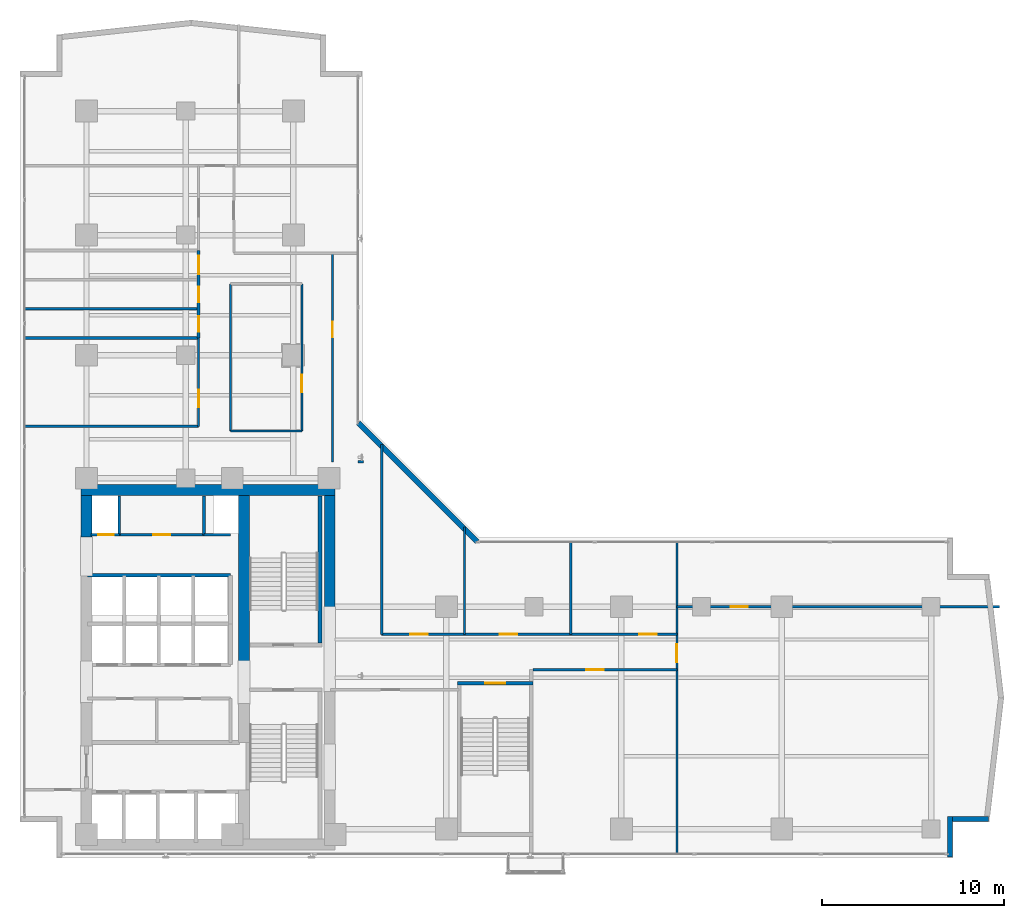
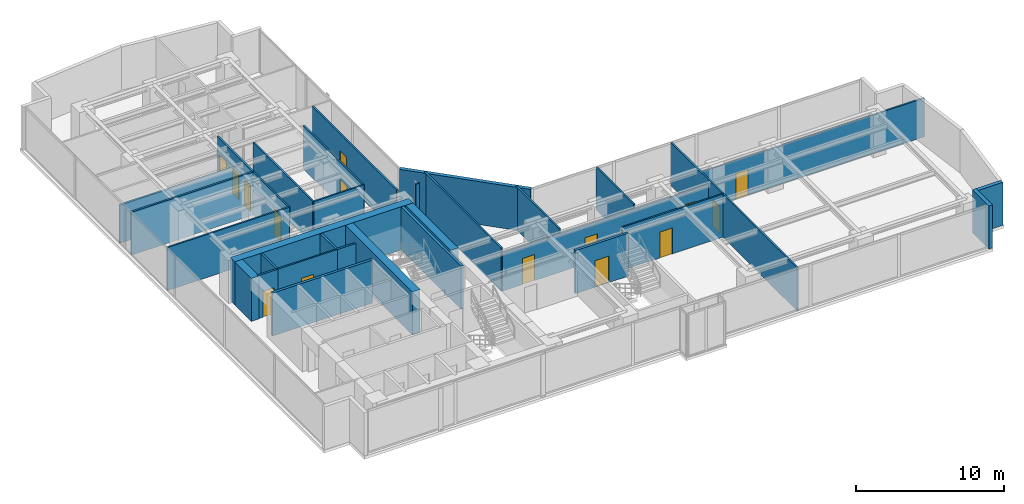
# One storey, part 20 of 24: 32 walls, 15 doors, 15 openings.
"""IFC4 building model written with IfcOpenShell, lengths in metres."""

from ifc_helpers import new_model, si_unit, direction, frame, frame_2d, origin, place, context, subcontext, project, spatial, rectangle, extrude, material, layer, layer_set, type_object, element, fill, save


model = new_model("IFC4")

# Units and contexts
model_context = context("Model", 3, precision=1e-05, world=origin(), true_north=direction((0.0, 1.0)))
body_context = subcontext(model_context, "Body", "Model", "MODEL_VIEW")
ifc_project = project(units=[si_unit("LENGTHUNIT", "METRE"), si_unit("AREAUNIT", "SQUARE_METRE"), si_unit("VOLUMEUNIT", "CUBIC_METRE"), si_unit("PLANEANGLEUNIT", "RADIAN"), si_unit("MASSUNIT", "GRAM", prefix="KILO")], contexts=[model_context])

# Site, building, storey
site_placement = place(None, origin())
site = spatial("IfcSite", under=ifc_project, at=site_placement, CompositionType="ELEMENT")
building_placement = place(site_placement, origin())
building = spatial("IfcBuilding", under=site, at=building_placement, Name="Kolvaren Waterfront Exchange", CompositionType="ELEMENT")
storey_placement = place(building_placement, frame((0.0, 0.0, 157.60009765625)))
storey = spatial("IfcBuildingStorey", under=building, at=storey_placement, Name="L40", CompositionType="ELEMENT", Elevation=157.60009765625)

# Walls
ifc_material_1 = material(Name="Precast concrete C40/50", Category="concrete")
ifc_layer_1 = layer(ifc_material_1, 0.280029296875, Name="Precast concrete C40/50")
ifc_layer_set_1 = layer_set([ifc_layer_1], Name="Precast concrete C40/50")
wall_type_1 = type_object("IfcWallType", Name="ARC-EXT-TERR-280", PredefinedType="SOLIDWALL", material=ifc_layer_set_1)
wall_1_placement = place(storey_placement, frame((54.840087890625, 3.659912109375, 0.0), z_axis=(0.0, 0.0, 1.0), x_axis=(0.0, 1.0, 0.0)))
element("IfcWall", 1, at=wall_1_placement, inside=storey, type_object=wall_type_1, Name="L40 notched corner spandrel pier SE-A", PredefinedType="SOLIDWALL", context=body_context, shape_type="SweptSolid", body=[
    extrude(rectangle(XDim=2.239990234375, YDim=0.280029296875, at=frame_2d((1.1201171875, 0.0))), origin(), (0.0, 0.0, 1.0), 3.559814453125),
])
wall_2_placement = place(storey_placement, frame((54.97998046875, 5.760009765625, 0.0), z_axis=(0.0, 0.0, 1.0), x_axis=(1.0, 0.0, 0.0)))
element("IfcWall", 2, at=wall_2_placement, inside=storey, type_object=wall_type_1, Name="L40 notched corner spandrel pier SE-B", PredefinedType="SOLIDWALL", context=body_context, shape_type="SweptSolid", body=[
    extrude(rectangle(XDim=1.9599609375, YDim=0.280029296875, at=frame_2d((0.97998046875, 0.0))), origin(), (0.0, 0.0, 1.0), 3.559814453125),
])
wall_3_placement = place(storey_placement, frame((28.885009765625, 20.97509765625, 0.0), z_axis=(0.0, 0.0, 1.0), x_axis=(-0.707106781187, 0.707106781187, 0.0)))
element("IfcWall", 3, at=wall_3_placement, inside=storey, type_object=wall_type_1, Name="L40 notched corner spandrel pier ELBOW", PredefinedType="SOLIDWALL", context=body_context, shape_type="SweptSolid", body=[
    extrude(rectangle(XDim=9.20654296875, YDim=0.280029296875, at=frame_2d((4.603271484375, 0.0))), origin(), (0.0, 0.0, 1.0), 3.559814453125),
])

# Wall, opening, door
ifc_material_2 = material(Name="Acoustic gypsum steel stud", Category="steel")
ifc_layer_2 = layer(ifc_material_2, 0.125, Name="Acoustic gypsum steel stud")
ifc_layer_set_2 = layer_set([ifc_layer_2], Name="Acoustic gypsum steel stud")
wall_type_2 = type_object("IfcWallType", Name="ARC-PART-125", PredefinedType="PARTITIONING", material=ifc_layer_set_2)
wall_4_placement = place(storey_placement, frame((9.25, 21.35009765625, 0.0), z_axis=(0.0, 0.0, 1.0), x_axis=(1.0, 0.0, 0.0)))
wall_4 = element("IfcWall", 4, at=wall_4_placement, inside=storey, type_object=wall_type_2, Name="L40 interior wall PW-L40-SVC-EX-S", PredefinedType="PARTITIONING", context=body_context, shape_type="SweptSolid", body=[
    extrude(rectangle(XDim=4.64990234375, YDim=0.125, at=frame_2d((2.324951171875, 0.0))), origin(), (0.0, 0.0, 1.0), 3.559814453125),
])
opening_1_placement = place(wall_4_placement, frame((1.85009765625, 0.0, 0.0)))
opening_1 = element("IfcOpeningElement", 5, at=opening_1_placement, cuts=wall_4, Name="Opening D02", PredefinedType="OPENING", context=body_context, shape_type="SweptSolid", body=[
    extrude(rectangle(XDim=0.949951171875, YDim=2.14990234375, at=frame_2d((0.47509765625, 1.074951171875))), frame((0.0, 0.072509765625, 0.0), z_axis=(0.0, -1.0, 0.0), x_axis=(1.0, 0.0, 0.0)), (0.0, 0.0, 1.0), 0.14501953125),
])
ifc_material_3 = material(Name="Oak veneer acoustic timber", Category="wood")
door_type_1 = type_object("IfcDoorType", Name="ARC-DR-950", OperationType="NOTDEFINED", PredefinedType="DOOR", material=ifc_material_3)
door_1_placement = place(opening_1_placement, origin())
door_1 = element("IfcDoor", 6, at=door_1_placement, inside=storey, type_object=door_type_1, Name="L40 door DR-L40-SVC-DR-1 (D02)", OperationType="SINGLE_SWING_RIGHT", OverallHeight=2.14990234375, OverallWidth=0.949951171875, PredefinedType="DOOR", context=body_context, shape_type="SweptSolid", body=[
    extrude(rectangle(XDim=0.949951171875, YDim=2.14990234375, at=frame_2d((0.47509765625, 1.074951171875))), frame((0.0, 0.02490234375, 0.0), z_axis=(0.0, -1.0, 0.0), x_axis=(1.0, 0.0, 0.0)), (0.0, 0.0, 1.0), 0.050048828125),
])
fill(opening_1, door_1)

# Walls
wall_5_placement = place(storey_placement, frame((15.35009765625, 27.050048828125, 0.0), z_axis=(0.0, 0.0, 1.0), x_axis=(1.0, 0.0, 0.0)))
element("IfcWall", 7, at=wall_5_placement, inside=storey, type_object=wall_type_2, Name="L40 interior wall PW-L40-ISL-S", PredefinedType="PARTITIONING", context=body_context, shape_type="SweptSolid", body=[
    extrude(rectangle(XDim=3.919921875, YDim=0.125, at=frame_2d((1.9599609375, 0.0))), origin(), (0.0, 0.0, 1.0), 3.559814453125),
])
wall_6_placement = place(storey_placement, frame((15.35009765625, 27.050048828125, 0.0), z_axis=(0.0, 0.0, 1.0), x_axis=(0.0, 1.0, 0.0)))
element("IfcWall", 8, at=wall_6_placement, inside=storey, type_object=wall_type_2, Name="L40 interior wall PW-L40-ISL-W", PredefinedType="PARTITIONING", context=body_context, shape_type="SweptSolid", body=[
    extrude(rectangle(XDim=8.070068359375, YDim=0.125, at=frame_2d((4.03515625, 0.0))), origin(), (0.0, 0.0, 1.0), 3.559814453125),
])

# Wall, opening, door
wall_7_placement = place(storey_placement, frame((19.27001953125, 27.050048828125, 0.0), z_axis=(0.0, 0.0, 1.0), x_axis=(0.0, 1.0, 0.0)))
wall_7 = element("IfcWall", 9, at=wall_7_placement, inside=storey, type_object=wall_type_2, Name="L40 interior wall PW-L40-ISL-E", PredefinedType="PARTITIONING", context=body_context, shape_type="SweptSolid", body=[
    extrude(rectangle(XDim=8.070068359375, YDim=0.125, at=frame_2d((4.03515625, 0.0))), origin(), (0.0, 0.0, 1.0), 3.559814453125),
])
opening_2_placement = place(wall_7_placement, frame((2.126708984375, 0.0, 0.0)))
opening_2 = element("IfcOpeningElement", 10, at=opening_2_placement, cuts=wall_7, Name="Opening D02", PredefinedType="OPENING", context=body_context, shape_type="SweptSolid", body=[
    extrude(rectangle(XDim=0.949951171875, YDim=2.14990234375, at=frame_2d((0.47509765625, 1.074951171875))), frame((0.0, 0.072509765625, 0.0), z_axis=(0.0, -1.0, 0.0), x_axis=(1.0, 0.0, 0.0)), (0.0, 0.0, 1.0), 0.14501953125),
])
door_2_placement = place(opening_2_placement, origin())
door_2 = element("IfcDoor", 11, at=door_2_placement, inside=storey, type_object=door_type_1, Name="L40 door DR-L40-ISL-D (D02)", OperationType="SINGLE_SWING_LEFT", OverallHeight=2.14990234375, OverallWidth=0.949951171875, PredefinedType="DOOR", context=body_context, shape_type="SweptSolid", body=[
    extrude(rectangle(XDim=0.949951171875, YDim=2.14990234375, at=frame_2d((0.47509765625, 1.074951171875))), frame((0.0, 0.02490234375, 0.0), z_axis=(0.0, -1.0, 0.0), x_axis=(1.0, 0.0, 0.0)), (0.0, 0.0, 1.0), 0.050048828125),
])
fill(opening_2, door_2)

wall_8_placement = place(storey_placement, frame((13.60009765625, 27.300048828125, 0.0), z_axis=(0.0, 0.0, 1.0), x_axis=(0.0, 1.0, 0.0)))
wall_8 = element("IfcWall", 12, at=wall_8_placement, inside=storey, type_object=wall_type_2, Name="L40 interior wall PW-L40-PREWC-E", PredefinedType="PARTITIONING", context=body_context, shape_type="SweptSolid", body=[
    extrude(rectangle(XDim=4.849853515625, YDim=0.125, at=frame_2d((2.4248046875, 0.0))), origin(), (0.0, 0.0, 1.0), 3.559814453125),
])
opening_3_placement = place(wall_8_placement, frame((1.050048828125, 0.0, 0.0)))
opening_3 = element("IfcOpeningElement", 13, at=opening_3_placement, cuts=wall_8, Name="Opening D02", PredefinedType="OPENING", context=body_context, shape_type="SweptSolid", body=[
    extrude(rectangle(XDim=0.949951171875, YDim=2.14990234375, at=frame_2d((0.47509765625, 1.074951171875))), frame((0.0, 0.072509765625, 0.0), z_axis=(0.0, -1.0, 0.0), x_axis=(1.0, 0.0, 0.0)), (0.0, 0.0, 1.0), 0.14501953125),
])
door_3_placement = place(opening_3_placement, origin())
door_3 = element("IfcDoor", 14, at=door_3_placement, inside=storey, type_object=door_type_1, Name="L40 door DR-L40-PREWC-D (D02)", OperationType="SINGLE_SWING_RIGHT", OverallHeight=2.14990234375, OverallWidth=0.949951171875, PredefinedType="DOOR", context=body_context, shape_type="SweptSolid", body=[
    extrude(rectangle(XDim=0.949951171875, YDim=2.14990234375, at=frame_2d((0.47509765625, 1.074951171875))), frame((0.0, 0.02490234375, 0.0), z_axis=(0.0, -1.0, 0.0), x_axis=(1.0, 0.0, 0.0)), (0.0, 0.0, 1.0), 0.050048828125),
])
fill(opening_3, door_3)

# Wall
wall_9_placement = place(storey_placement, frame((4.0400390625, 27.300048828125, 0.0), z_axis=(0.0, 0.0, 1.0), x_axis=(1.0, 0.0, 0.0)))
element("IfcWall", 15, at=wall_9_placement, inside=storey, type_object=wall_type_2, Name="L40 interior wall PW-L40-PREWC-S", PredefinedType="PARTITIONING", context=body_context, shape_type="SweptSolid", body=[
    extrude(rectangle(XDim=9.56005859375, YDim=0.125, at=frame_2d((4.780029296875, 0.0))), origin(), (0.0, 0.0, 1.0), 3.559814453125),
])

# Wall, opening, door
wall_10_placement = place(storey_placement, frame((20.949951171875, 25.35009765625, 0.0), z_axis=(0.0, 0.0, 1.0), x_axis=(0.0, 1.0, 0.0)))
wall_10 = element("IfcWall", 16, at=wall_10_placement, inside=storey, type_object=wall_type_2, Name="L40 interior wall PW-L40-RFLANK-W", PredefinedType="PARTITIONING", context=body_context, shape_type="SweptSolid", body=[
    extrude(rectangle(XDim=11.449951171875, YDim=0.125, at=frame_2d((5.72509765625, 0.0))), origin(), (0.0, 0.0, 1.0), 3.559814453125),
])
opening_4_placement = place(wall_10_placement, frame((6.834716796875, 0.0, 0.0)))
opening_4 = element("IfcOpeningElement", 17, at=opening_4_placement, cuts=wall_10, Name="Opening D01", PredefinedType="OPENING", context=body_context, shape_type="SweptSolid", body=[
    extrude(rectangle(XDim=0.85009765625, YDim=2.14990234375, at=frame_2d((0.425048828125, 1.074951171875))), frame((0.0, 0.072509765625, 0.0), z_axis=(0.0, -1.0, 0.0), x_axis=(1.0, 0.0, 0.0)), (0.0, 0.0, 1.0), 0.14501953125),
])
ifc_material_4 = material(Name="Oak veneer timber leaf", Category="wood")
door_type_2 = type_object("IfcDoorType", Name="ARC-DR-900", OperationType="NOTDEFINED", PredefinedType="DOOR", material=ifc_material_4)
door_4_placement = place(opening_4_placement, origin())
door_4 = element("IfcDoor", 18, at=door_4_placement, inside=storey, type_object=door_type_2, Name="L40 door DR-L40-RFLANK-D (D01)", OperationType="SINGLE_SWING_RIGHT", OverallHeight=2.14990234375, OverallWidth=0.85009765625, PredefinedType="DOOR", context=body_context, shape_type="SweptSolid", body=[
    extrude(rectangle(XDim=0.85009765625, YDim=2.14990234375, at=frame_2d((0.425048828125, 1.074951171875))), frame((0.0, 0.02490234375, 0.0), z_axis=(0.0, -1.0, 0.0), x_axis=(1.0, 0.0, 0.0)), (0.0, 0.0, 1.0), 0.050048828125),
])
fill(opening_4, door_4)

# Wall
wall_11_placement = place(storey_placement, frame((22.64990234375, 25.35009765625, 0.0), z_axis=(0.0, 0.0, 1.0), x_axis=(-1.0, 0.0, 0.0)))
element("IfcWall", 19, at=wall_11_placement, inside=storey, type_object=wall_type_2, Name="L40 interior wall PW-L40-RFLANK-S", PredefinedType="PARTITIONING", context=body_context, shape_type="SweptSolid", body=[
    extrude(rectangle(XDim=0.289794921875, YDim=0.125, at=frame_2d((0.14501953125, 0.0))), origin(), (0.0, 0.0, 1.0), 3.559814453125),
])

# Wall, opening, door
wall_12_placement = place(storey_placement, frame((31.949951171875, 13.949951171875, 0.0), z_axis=(0.0, 0.0, 1.0), x_axis=(1.0, 0.0, 0.0)))
wall_12 = element("IfcWall", 20, at=wall_12_placement, inside=storey, type_object=wall_type_2, Name="L40 interior wall PW-L40-ES-CORR", PredefinedType="PARTITIONING", context=body_context, shape_type="SweptSolid", body=[
    extrude(rectangle(XDim=7.900146484375, YDim=0.125, at=frame_2d((3.9501953125, 0.0))), origin(), (0.0, 0.0, 1.0), 3.559814453125),
])
opening_5_placement = place(wall_12_placement, frame((2.9296875, 0.0, 0.0)))
opening_5 = element("IfcOpeningElement", 21, at=opening_5_placement, cuts=wall_12, Name="Opening D02", PredefinedType="OPENING", context=body_context, shape_type="SweptSolid", body=[
    extrude(rectangle(XDim=0.949951171875, YDim=2.14990234375, at=frame_2d((0.47509765625, 1.074951171875))), frame((0.0, 0.072509765625, 0.0), z_axis=(0.0, -1.0, 0.0), x_axis=(1.0, 0.0, 0.0)), (0.0, 0.0, 1.0), 0.14501953125),
])
door_5_placement = place(opening_5_placement, origin())
door_5 = element("IfcDoor", 22, at=door_5_placement, inside=storey, type_object=door_type_1, Name="L40 door DR-L40-ES-D-1 (D02)", OperationType="SINGLE_SWING_LEFT", OverallHeight=2.14990234375, OverallWidth=0.949951171875, PredefinedType="DOOR", context=body_context, shape_type="SweptSolid", body=[
    extrude(rectangle(XDim=0.949951171875, YDim=2.14990234375, at=frame_2d((0.47509765625, 1.074951171875))), frame((0.0, 0.02490234375, 0.0), z_axis=(0.0, -1.0, 0.0), x_axis=(1.0, 0.0, 0.0)), (0.0, 0.0, 1.0), 0.050048828125),
])
fill(opening_5, door_5)

wall_13_placement = place(storey_placement, frame((39.85009765625, 3.840087890625, 0.0), z_axis=(0.0, 0.0, 1.0), x_axis=(0.0, 1.0, 0.0)))
wall_13 = element("IfcWall", 23, at=wall_13_placement, inside=storey, type_object=wall_type_2, Name="L40 interior wall PW-L40-ETIP-W", PredefinedType="PARTITIONING", context=body_context, shape_type="SweptSolid", body=[
    extrude(rectangle(XDim=17.119873046875, YDim=0.125, at=frame_2d((8.56005859375, 0.0))), origin(), (0.0, 0.0, 1.0), 3.559814453125),
])
opening_6_placement = place(wall_13_placement, frame((10.510009765625, 0.0, 0.0)))
opening_6 = element("IfcOpeningElement", 24, at=opening_6_placement, cuts=wall_13, Name="Opening D03", PredefinedType="OPENING", context=body_context, shape_type="SweptSolid", body=[
    extrude(rectangle(XDim=1.0, YDim=2.199951171875, at=frame_2d((0.5, 1.10009765625))), frame((0.0, 0.072509765625, 0.0), z_axis=(0.0, -1.0, 0.0), x_axis=(1.0, 0.0, 0.0)), (0.0, 0.0, 1.0), 0.14501953125),
])
ifc_material_5 = material(Name="Oak veneer accessible timber", Category="wood")
door_type_3 = type_object("IfcDoorType", Name="ARC-DR-1000", OperationType="NOTDEFINED", PredefinedType="DOOR", material=ifc_material_5)
door_6_placement = place(opening_6_placement, origin())
door_6 = element("IfcDoor", 25, at=door_6_placement, inside=storey, type_object=door_type_3, Name="L40 door DR-L40-ETIP1-D (D03)", OperationType="SINGLE_SWING_RIGHT", OverallHeight=2.199951171875, OverallWidth=1.0, PredefinedType="DOOR", context=body_context, shape_type="SweptSolid", body=[
    extrude(rectangle(XDim=1.0, YDim=2.199951171875, at=frame_2d((0.5, 1.10009765625))), frame((0.0, 0.02490234375, 0.0), z_axis=(0.0, -1.0, 0.0), x_axis=(1.0, 0.0, 0.0)), (0.0, 0.0, 1.0), 0.050048828125),
])
fill(opening_6, door_6)

wall_14_placement = place(storey_placement, frame((39.85009765625, 17.39990234375, 0.0), z_axis=(0.0, 0.0, 1.0), x_axis=(1.0, 0.0, 0.0)))
wall_14 = element("IfcWall", 26, at=wall_14_placement, inside=storey, type_object=wall_type_2, Name="L40 interior wall PW-L40-ETIP-MID", PredefinedType="PARTITIONING", context=body_context, shape_type="SweptSolid", body=[
    extrude(rectangle(XDim=17.7099609375, YDim=0.125, at=frame_2d((8.85498046875, 0.0))), origin(), (0.0, 0.0, 1.0), 3.199951171875),
])
opening_7_placement = place(wall_14_placement, frame((2.949951171875, 0.0, 0.0)))
opening_7 = element("IfcOpeningElement", 27, at=opening_7_placement, cuts=wall_14, Name="Opening D02", PredefinedType="OPENING", context=body_context, shape_type="SweptSolid", body=[
    extrude(rectangle(XDim=0.949951171875, YDim=2.14990234375, at=frame_2d((0.47509765625, 1.074951171875))), frame((0.0, 0.072509765625, 0.0), z_axis=(0.0, -1.0, 0.0), x_axis=(1.0, 0.0, 0.0)), (0.0, 0.0, 1.0), 0.14501953125),
])
door_7_placement = place(opening_7_placement, origin())
door_7 = element("IfcDoor", 28, at=door_7_placement, inside=storey, type_object=door_type_1, Name="L40 door DR-L40-ETIP2-D (D02)", OperationType="SINGLE_SWING_LEFT", OverallHeight=2.14990234375, OverallWidth=0.949951171875, PredefinedType="DOOR", context=body_context, shape_type="SweptSolid", body=[
    extrude(rectangle(XDim=0.949951171875, YDim=2.14990234375, at=frame_2d((0.47509765625, 1.074951171875))), frame((0.0, 0.02490234375, 0.0), z_axis=(0.0, -1.0, 0.0), x_axis=(1.0, 0.0, 0.0)), (0.0, 0.0, 1.0), 0.050048828125),
])
fill(opening_7, door_7)

# Wall
wall_15_placement = place(storey_placement, frame((23.64990234375, 15.889892578125, 0.0), z_axis=(0.0, 0.0, 1.0), x_axis=(0.0, 1.0, 0.0)))
element("IfcWall", 29, at=wall_15_placement, inside=storey, type_object=wall_type_2, Name="L40 interior wall PW-L40-EN-W0", PredefinedType="PARTITIONING", context=body_context, shape_type="SweptSolid", body=[
    extrude(rectangle(XDim=10.420166015625, YDim=0.125, at=frame_2d((5.2099609375, 0.0))), origin(), (0.0, 0.0, 1.0), 3.559814453125),
])

# Wall, openings, doors
wall_16_placement = place(storey_placement, frame((23.64990234375, 15.889892578125, 0.0), z_axis=(0.0, 0.0, 1.0), x_axis=(1.0, 0.0, 0.0)))
wall_16 = element("IfcWall", 30, at=wall_16_placement, inside=storey, type_object=wall_type_2, Name="L40 interior wall PW-L40-EN-CORR", PredefinedType="PARTITIONING", context=body_context, shape_type="SweptSolid", body=[
    extrude(rectangle(XDim=16.2001953125, YDim=0.125, at=frame_2d((8.10009765625, 0.0))), origin(), (0.0, 0.0, 1.0), 3.159912109375),
])
opening_8_placement = place(wall_16_placement, frame((1.57470703125, 0.0, 0.0)))
opening_8 = element("IfcOpeningElement", 31, at=opening_8_placement, cuts=wall_16, Name="Opening D02", PredefinedType="OPENING", context=body_context, shape_type="SweptSolid", body=[
    extrude(rectangle(XDim=0.949951171875, YDim=2.14990234375, at=frame_2d((0.47509765625, 1.074951171875))), frame((0.0, 0.072509765625, 0.0), z_axis=(0.0, -1.0, 0.0), x_axis=(1.0, 0.0, 0.0)), (0.0, 0.0, 1.0), 0.14501953125),
])
opening_9_placement = place(wall_16_placement, frame((6.487548828125, 0.0, 0.0)))
opening_9 = element("IfcOpeningElement", 32, at=opening_9_placement, cuts=wall_16, Name="Opening D02", PredefinedType="OPENING", context=body_context, shape_type="SweptSolid", body=[
    extrude(rectangle(XDim=0.949951171875, YDim=2.14990234375, at=frame_2d((0.47509765625, 1.074951171875))), frame((0.0, 0.072509765625, 0.0), z_axis=(0.0, -1.0, 0.0), x_axis=(1.0, 0.0, 0.0)), (0.0, 0.0, 1.0), 0.14501953125),
])
opening_10_placement = place(wall_16_placement, frame((14.146484375, 0.0, 0.0)))
opening_10 = element("IfcOpeningElement", 33, at=opening_10_placement, cuts=wall_16, Name="Opening D02", PredefinedType="OPENING", context=body_context, shape_type="SweptSolid", body=[
    extrude(rectangle(XDim=0.949951171875, YDim=2.14990234375, at=frame_2d((0.47509765625, 1.074951171875))), frame((0.0, 0.072509765625, 0.0), z_axis=(0.0, -1.0, 0.0), x_axis=(1.0, 0.0, 0.0)), (0.0, 0.0, 1.0), 0.14501953125),
])
door_8_placement = place(opening_8_placement, origin())
door_8 = element("IfcDoor", 34, at=door_8_placement, inside=storey, type_object=door_type_1, Name="L40 door DR-L40-EN-D-1 (D02)", OperationType="SINGLE_SWING_RIGHT", OverallHeight=2.14990234375, OverallWidth=0.949951171875, PredefinedType="DOOR", context=body_context, shape_type="SweptSolid", body=[
    extrude(rectangle(XDim=0.949951171875, YDim=2.14990234375, at=frame_2d((0.47509765625, 1.074951171875))), frame((0.0, 0.02490234375, 0.0), z_axis=(0.0, -1.0, 0.0), x_axis=(1.0, 0.0, 0.0)), (0.0, 0.0, 1.0), 0.050048828125),
])
fill(opening_8, door_8)
door_9_placement = place(opening_9_placement, origin())
door_9 = element("IfcDoor", 35, at=door_9_placement, inside=storey, type_object=door_type_1, Name="L40 door DR-L40-EN-D-2 (D02)", OperationType="SINGLE_SWING_LEFT", OverallHeight=2.14990234375, OverallWidth=0.949951171875, PredefinedType="DOOR", context=body_context, shape_type="SweptSolid", body=[
    extrude(rectangle(XDim=0.949951171875, YDim=2.14990234375, at=frame_2d((0.47509765625, 1.074951171875))), frame((0.0, 0.02490234375, 0.0), z_axis=(0.0, -1.0, 0.0), x_axis=(1.0, 0.0, 0.0)), (0.0, 0.0, 1.0), 0.050048828125),
])
fill(opening_9, door_9)
door_10_placement = place(opening_10_placement, origin())
door_10 = element("IfcDoor", 36, at=door_10_placement, inside=storey, type_object=door_type_1, Name="L40 door DR-L40-EN-D-3 (D02)", OperationType="SINGLE_SWING_RIGHT", OverallHeight=2.14990234375, OverallWidth=0.949951171875, PredefinedType="DOOR", context=body_context, shape_type="SweptSolid", body=[
    extrude(rectangle(XDim=0.949951171875, YDim=2.14990234375, at=frame_2d((0.47509765625, 1.074951171875))), frame((0.0, 0.02490234375, 0.0), z_axis=(0.0, -1.0, 0.0), x_axis=(1.0, 0.0, 0.0)), (0.0, 0.0, 1.0), 0.050048828125),
])
fill(opening_10, door_10)

# Walls
wall_17_placement = place(storey_placement, frame((28.18994140625, 15.889892578125, 0.0), z_axis=(0.0, 0.0, 1.0), x_axis=(0.0, 1.0, 0.0)))
element("IfcWall", 37, at=wall_17_placement, inside=storey, type_object=wall_type_2, Name="L40 interior wall PW-L40-EN-DIV-1", PredefinedType="PARTITIONING", context=body_context, shape_type="SweptSolid", body=[
    extrude(rectangle(XDim=5.880126953125, YDim=0.125, at=frame_2d((2.93994140625, 0.0))), origin(), (0.0, 0.0, 1.0), 3.559814453125),
])
wall_18_placement = place(storey_placement, frame((34.02001953125, 15.889892578125, 0.0), z_axis=(0.0, 0.0, 1.0), x_axis=(0.0, 1.0, 0.0)))
element("IfcWall", 38, at=wall_18_placement, inside=storey, type_object=wall_type_2, Name="L40 interior wall PW-L40-EN-DIV-2", PredefinedType="PARTITIONING", context=body_context, shape_type="SweptSolid", body=[
    extrude(rectangle(XDim=5.070068359375, YDim=0.125, at=frame_2d((2.53515625, 0.0))), origin(), (0.0, 0.0, 1.0), 3.559814453125),
])
ifc_material_6 = material(Name="Gypsum fireboard steel stud", Category="steel")
ifc_layer_3 = layer(ifc_material_6, 0.14990234375, Name="Gypsum fireboard steel stud")
ifc_layer_set_3 = layer_set([ifc_layer_3], Name="Gypsum fireboard steel stud")
wall_type_3 = type_object("IfcWallType", Name="ARC-PART-150", PredefinedType="PARTITIONING", material=ifc_layer_set_3)
for number, where, z_axis, x_axis, name in (
    (39, (9.25, 21.35009765625, 0.0), (0.0, 0.0, 1.0), (0.0, 1.0, 0.0), "L40 interior wall PW-L40-SVC-R1"),
    (40, (13.89990234375, 21.35009765625, 0.0), (0.0, 0.0, 1.0), (0.0, 1.0, 0.0), "L40 interior wall PW-L40-SVC-R2"),
):
    element("IfcWall", number, at=place(storey_placement, frame(where, z_axis=z_axis, x_axis=x_axis)), inside=storey, type_object=wall_type_3, Name=name, PredefinedType="PARTITIONING", context=body_context, shape_type="SweptSolid", body=[
        extrude(rectangle(XDim=2.1298828125, YDim=0.14990234375, at=frame_2d((1.06494140625, 0.0))), origin(), (0.0, 0.0, 1.0), 3.559814453125),
    ])

# Wall, opening, door
wall_19_placement = place(storey_placement, frame((7.699951171875, 21.35009765625, 0.0), z_axis=(0.0, 0.0, 1.0), x_axis=(1.0, 0.0, 0.0)))
wall_19 = element("IfcWall", 41, at=wall_19_placement, inside=storey, type_object=wall_type_3, Name="L40 interior wall PW-L40-SVC-RE-S", PredefinedType="PARTITIONING", context=body_context, shape_type="SweptSolid", body=[
    extrude(rectangle(XDim=1.550048828125, YDim=0.14990234375, at=frame_2d((0.77490234375, 0.0))), origin(), (0.0, 0.0, 1.0), 3.559814453125),
])
opening_11_placement = place(wall_19_placement, frame((0.389892578125, 0.0, 0.0)))
opening_11 = element("IfcOpeningElement", 42, at=opening_11_placement, cuts=wall_19, Name="Opening FD1", PredefinedType="OPENING", context=body_context, shape_type="SweptSolid", body=[
    extrude(rectangle(XDim=0.85009765625, YDim=2.14990234375, at=frame_2d((0.425048828125, 1.074951171875))), frame((0.0, 0.0849609375, 0.0), z_axis=(0.0, -1.0, 0.0), x_axis=(1.0, 0.0, 0.0)), (0.0, 0.0, 1.0), 0.169921875),
])
ifc_material_7 = material(Name="Pressed steel fire leaf", Category="steel")
door_type_4 = type_object("IfcDoorType", Name="ARC-FD-900", OperationType="NOTDEFINED", PredefinedType="DOOR", material=ifc_material_7)
door_11_placement = place(opening_11_placement, origin())
door_11 = element("IfcDoor", 43, at=door_11_placement, inside=storey, type_object=door_type_4, Name="L40 door DR-L40-RISER-E-DR (FD1)", OperationType="SINGLE_SWING_LEFT", OverallHeight=2.14990234375, OverallWidth=0.85009765625, PredefinedType="DOOR", context=body_context, shape_type="SweptSolid", body=[
    extrude(rectangle(XDim=0.85009765625, YDim=2.14990234375, at=frame_2d((0.425048828125, 1.074951171875))), frame((0.0, 0.02490234375, 0.0), z_axis=(0.0, -1.0, 0.0), x_axis=(1.0, 0.0, 0.0)), (0.0, 0.0, 1.0), 0.050048828125),
])
fill(opening_11, door_11)

# Walls
wall_20_placement = place(storey_placement, frame((13.89990234375, 21.35009765625, 0.0), z_axis=(0.0, 0.0, 1.0), x_axis=(1.0, 0.0, 0.0)))
element("IfcWall", 44, at=wall_20_placement, inside=storey, type_object=wall_type_3, Name="L40 interior wall PW-L40-SVC-RP-S", PredefinedType="PARTITIONING", context=body_context, shape_type="SweptSolid", body=[
    extrude(rectangle(XDim=1.4501953125, YDim=0.14990234375, at=frame_2d((0.72509765625, 0.0))), origin(), (0.0, 0.0, 1.0), 3.559814453125),
])
ifc_material_8 = material(Name="Moisture-resistant gypsum stud")
ifc_layer_4 = layer(ifc_material_8, 0.14990234375, Name="Moisture-resistant gypsum stud")
ifc_layer_set_4 = layer_set([ifc_layer_4], Name="Moisture-resistant gypsum stud")
wall_type_4 = type_object("IfcWallType", Name="ARC-PLUMB-150", PredefinedType="PLUMBINGWALL", material=ifc_layer_set_4)
wall_21_placement = place(storey_placement, frame((4.0400390625, 32.14990234375, 0.0), z_axis=(0.0, 0.0, 1.0), x_axis=(1.0, 0.0, 0.0)))
element("IfcWall", 45, at=wall_21_placement, inside=storey, type_object=wall_type_4, Name="L40 interior wall PW-L40-WC-0", PredefinedType="PLUMBINGWALL", context=body_context, shape_type="SweptSolid", body=[
    extrude(rectangle(XDim=9.56005859375, YDim=0.14990234375, at=frame_2d((4.780029296875, 0.0))), origin(), (0.0, 0.0, 1.0), 3.559814453125),
])

# Wall, openings, doors
wall_22_placement = place(storey_placement, frame((13.60009765625, 32.14990234375, 0.0), z_axis=(0.0, 0.0, 1.0), x_axis=(0.0, 1.0, 0.0)))
wall_22 = element("IfcWall", 46, at=wall_22_placement, inside=storey, type_object=wall_type_4, Name="L40 interior wall PW-L40-WC-E", PredefinedType="PLUMBINGWALL", context=body_context, shape_type="SweptSolid", body=[
    extrude(rectangle(XDim=4.800048828125, YDim=0.14990234375, at=frame_2d((2.39990234375, 0.0))), origin(), (0.0, 0.0, 1.0), 3.559814453125),
])
opening_12_placement = place(wall_22_placement, frame((0.35009765625, 0.0, 0.0)))
opening_12 = element("IfcOpeningElement", 47, at=opening_12_placement, cuts=wall_22, Name="Opening D01", PredefinedType="OPENING", context=body_context, shape_type="SweptSolid", body=[
    extrude(rectangle(XDim=0.85009765625, YDim=2.14990234375, at=frame_2d((0.425048828125, 1.074951171875))), frame((0.0, 0.0849609375, 0.0), z_axis=(0.0, -1.0, 0.0), x_axis=(1.0, 0.0, 0.0)), (0.0, 0.0, 1.0), 0.169921875),
])
opening_13_placement = place(wall_22_placement, frame((1.949951171875, 0.0, 0.0)))
opening_13 = element("IfcOpeningElement", 48, at=opening_13_placement, cuts=wall_22, Name="Opening D01", PredefinedType="OPENING", context=body_context, shape_type="SweptSolid", body=[
    extrude(rectangle(XDim=0.85009765625, YDim=2.14990234375, at=frame_2d((0.425048828125, 1.074951171875))), frame((0.0, 0.0849609375, 0.0), z_axis=(0.0, -1.0, 0.0), x_axis=(1.0, 0.0, 0.0)), (0.0, 0.0, 1.0), 0.169921875),
])
opening_14_placement = place(wall_22_placement, frame((3.5, 0.0, 0.0)))
opening_14 = element("IfcOpeningElement", 49, at=opening_14_placement, cuts=wall_22, Name="Opening D03", PredefinedType="OPENING", context=body_context, shape_type="SweptSolid", body=[
    extrude(rectangle(XDim=1.0, YDim=2.199951171875, at=frame_2d((0.5, 1.10009765625))), frame((0.0, 0.0849609375, 0.0), z_axis=(0.0, -1.0, 0.0), x_axis=(1.0, 0.0, 0.0)), (0.0, 0.0, 1.0), 0.169921875),
])
door_12_placement = place(opening_14_placement, origin())
door_12 = element("IfcDoor", 50, at=door_12_placement, inside=storey, type_object=door_type_3, Name="L40 door DR-L40-WCA-D (D03)", OperationType="SINGLE_SWING_LEFT", OverallHeight=2.199951171875, OverallWidth=1.0, PredefinedType="DOOR", context=body_context, shape_type="SweptSolid", body=[
    extrude(rectangle(XDim=1.0, YDim=2.199951171875, at=frame_2d((0.5, 1.10009765625))), frame((0.0, 0.02490234375, 0.0), z_axis=(0.0, -1.0, 0.0), x_axis=(1.0, 0.0, 0.0)), (0.0, 0.0, 1.0), 0.050048828125),
])
fill(opening_14, door_12)
door_13_placement = place(opening_12_placement, origin())
door_13 = element("IfcDoor", 51, at=door_13_placement, inside=storey, type_object=door_type_2, Name="L40 door DR-L40-WCM-D (D01)", OperationType="SINGLE_SWING_LEFT", OverallHeight=2.14990234375, OverallWidth=0.85009765625, PredefinedType="DOOR", context=body_context, shape_type="SweptSolid", body=[
    extrude(rectangle(XDim=0.85009765625, YDim=2.14990234375, at=frame_2d((0.425048828125, 1.074951171875))), frame((0.0, 0.02490234375, 0.0), z_axis=(0.0, -1.0, 0.0), x_axis=(1.0, 0.0, 0.0)), (0.0, 0.0, 1.0), 0.050048828125),
])
fill(opening_12, door_13)
door_14_placement = place(opening_13_placement, origin())
door_14 = element("IfcDoor", 52, at=door_14_placement, inside=storey, type_object=door_type_2, Name="L40 door DR-L40-WCF-D (D01)", OperationType="SINGLE_SWING_RIGHT", OverallHeight=2.14990234375, OverallWidth=0.85009765625, PredefinedType="DOOR", context=body_context, shape_type="SweptSolid", body=[
    extrude(rectangle(XDim=0.85009765625, YDim=2.14990234375, at=frame_2d((0.425048828125, 1.074951171875))), frame((0.0, 0.02490234375, 0.0), z_axis=(0.0, -1.0, 0.0), x_axis=(1.0, 0.0, 0.0)), (0.0, 0.0, 1.0), 0.050048828125),
])
fill(opening_13, door_14)

# Walls
wall_23_placement = place(storey_placement, frame((4.0400390625, 33.75, 0.0), z_axis=(0.0, 0.0, 1.0), x_axis=(1.0, 0.0, 0.0)))
element("IfcWall", 53, at=wall_23_placement, inside=storey, type_object=wall_type_4, Name="L40 interior wall PW-L40-WC-1", PredefinedType="PLUMBINGWALL", context=body_context, shape_type="SweptSolid", body=[
    extrude(rectangle(XDim=9.56005859375, YDim=0.14990234375, at=frame_2d((4.780029296875, 0.0))), origin(), (0.0, 0.0, 1.0), 3.159912109375),
])
ifc_material_9 = material(Name="Concrete C40/50", Category="concrete")
ifc_layer_5 = layer(ifc_material_9, 0.199951171875, Name="Concrete C40/50")
ifc_layer_set_5 = layer_set([ifc_layer_5], Name="Concrete C40/50")
wall_type_5 = type_object("IfcWallType", Name="ARC-SHAFT-200", PredefinedType="PARTITIONING", material=ifc_layer_set_5)
wall_24_placement = place(storey_placement, frame((20.260009765625, 15.39990234375, 0.0), z_axis=(0.0, 0.0, 1.0), x_axis=(0.0, 1.0, 0.0)))
element("IfcWall", 54, at=wall_24_placement, inside=storey, type_object=wall_type_5, Name="L40 structural stairwell wall PW-L40-ST2-E", PredefinedType="SHEAR", context=body_context, shape_type="SweptSolid", body=[
    extrude(rectangle(XDim=8.090087890625, YDim=0.199951171875, at=frame_2d((4.044921875, 0.0))), origin(), (0.0, 0.0, 1.0), 3.559814453125),
])

# Wall, opening, door
wall_25_placement = place(storey_placement, frame((27.800048828125, 13.199951171875, 0.0), z_axis=(0.0, 0.0, 1.0), x_axis=(1.0, 0.0, 0.0)))
wall_25 = element("IfcWall", 55, at=wall_25_placement, inside=storey, type_object=wall_type_5, Name="L40 structural stairwell wall PW-L40-ST3-N", PredefinedType="SHEAR", context=body_context, shape_type="SweptSolid", body=[
    extrude(rectangle(XDim=4.159912109375, YDim=0.199951171875, at=frame_2d((2.080078125, 0.0))), origin(), (0.0, 0.0, 1.0), 3.559814453125),
])
opening_15_placement = place(wall_25_placement, frame((1.530029296875, 0.0, 0.0)))
opening_15 = element("IfcOpeningElement", 56, at=opening_15_placement, cuts=wall_25, Name="Opening FD2", PredefinedType="OPENING", context=body_context, shape_type="SweptSolid", body=[
    extrude(rectangle(XDim=1.10009765625, YDim=2.199951171875, at=frame_2d((0.550048828125, 1.10009765625))), frame((0.0, 0.10986328125, 0.0), z_axis=(0.0, -1.0, 0.0), x_axis=(1.0, 0.0, 0.0)), (0.0, 0.0, 1.0), 0.219970703125),
])
ifc_material_10 = material(Name="Pressed steel smoke-seal fire door", Category="steel")
door_type_5 = type_object("IfcDoorType", Name="ARC-FD-1100", OperationType="NOTDEFINED", PredefinedType="DOOR", material=ifc_material_10)
door_15_placement = place(opening_15_placement, frame((1.10009765625, 0.0, 0.0), z_axis=(0.0, 0.0, 1.0), x_axis=(-1.0, 0.0, 0.0)))
door_15 = element("IfcDoor", 57, at=door_15_placement, inside=storey, type_object=door_type_5, Name="L40 door DR-L40-ST3-IN (FD2)", OperationType="SINGLE_SWING_LEFT", OverallHeight=2.199951171875, OverallWidth=1.10009765625, PredefinedType="DOOR", context=body_context, shape_type="SweptSolid", body=[
    extrude(rectangle(XDim=1.10009765625, YDim=2.199951171875, at=frame_2d((0.550048828125, 1.10009765625))), frame((0.0, 0.02490234375, 0.0), z_axis=(0.0, -1.0, 0.0), x_axis=(1.0, 0.0, 0.0)), (0.0, 0.0, 1.0), 0.050048828125),
])
fill(opening_15, door_15)

# Walls
wall_26_placement = place(storey_placement, frame((7.5, 19.1201171875, 0.0), z_axis=(0.0, 0.0, 1.0), x_axis=(1.0, 0.0, 0.0)))
element("IfcWall", 58, at=wall_26_placement, inside=storey, type_object=wall_type_5, Name="L40 interior wall PW-L40-PH-N", PredefinedType="PARTITIONING", context=body_context, shape_type="SweptSolid", body=[
    extrude(rectangle(XDim=7.85009765625, YDim=0.199951171875, at=frame_2d((3.925048828125, 0.0))), origin(), (0.0, 0.0, 1.0), 3.559814453125),
])
ifc_material_11 = material(Name="Concrete C60/75", Category="concrete")
ifc_layer_6 = layer(ifc_material_11, 0.60009765625, Name="Concrete C60/75")
ifc_layer_set_6 = layer_set([ifc_layer_6], Name="Concrete C60/75")
wall_type_6 = type_object("IfcWallType", Name="STR-CWALL-600", PredefinedType="SHEAR", material=ifc_layer_set_6)
wall_27_placement = place(storey_placement, frame((7.14990234375, 23.800048828125, 0.0), z_axis=(0.0, 0.0, 1.0), x_axis=(1.0, 0.0, 0.0)))
element("IfcWall", 59, at=wall_27_placement, inside=storey, type_object=wall_type_6, Name="L40 rear-core shear wall N", PredefinedType="SHEAR", context=body_context, shape_type="SweptSolid", body=[
    extrude(rectangle(XDim=13.9501953125, YDim=0.60009765625, at=frame_2d((6.97509765625, 0.0))), origin(), (0.0, 0.0, 1.0), 3.559814453125),
])
wall_28_placement = place(storey_placement, frame((7.449951171875, 21.239990234375, 0.0), z_axis=(0.0, 0.0, 1.0), x_axis=(0.0, 1.0, 0.0)))
element("IfcWall", 60, at=wall_28_placement, inside=storey, type_object=wall_type_6, Name="L40 rear-core shear wall W3", PredefinedType="SHEAR", context=body_context, shape_type="SweptSolid", body=[
    extrude(rectangle(XDim=2.260009765625, YDim=0.60009765625, at=frame_2d((1.1298828125, 0.0))), origin(), (0.0, 0.0, 1.0), 3.559814453125),
])
wall_29_placement = place(storey_placement, frame((20.800048828125, 17.35009765625, 0.0), z_axis=(0.0, 0.0, 1.0), x_axis=(0.0, 1.0, 0.0)))
element("IfcWall", 61, at=wall_29_placement, inside=storey, type_object=wall_type_6, Name="L40 rear-core shear wall E3", PredefinedType="SHEAR", context=body_context, shape_type="SweptSolid", body=[
    extrude(rectangle(XDim=6.14990234375, YDim=0.60009765625, at=frame_2d((3.074951171875, 0.0))), origin(), (0.0, 0.0, 1.0), 3.559814453125),
])
wall_30_placement = place(storey_placement, frame((16.10009765625, 14.39990234375, 0.0), z_axis=(0.0, 0.0, 1.0), x_axis=(0.0, 1.0, 0.0)))
element("IfcWall", 62, at=wall_30_placement, inside=storey, type_object=wall_type_6, Name="L40 rear-core shear wall M3", PredefinedType="SHEAR", context=body_context, shape_type="SweptSolid", body=[
    extrude(rectangle(XDim=9.10009765625, YDim=0.60009765625, at=frame_2d((4.550048828125, 0.0))), origin(), (0.0, 0.0, 1.0), 3.559814453125),
])

save(model, "model.ifc")
